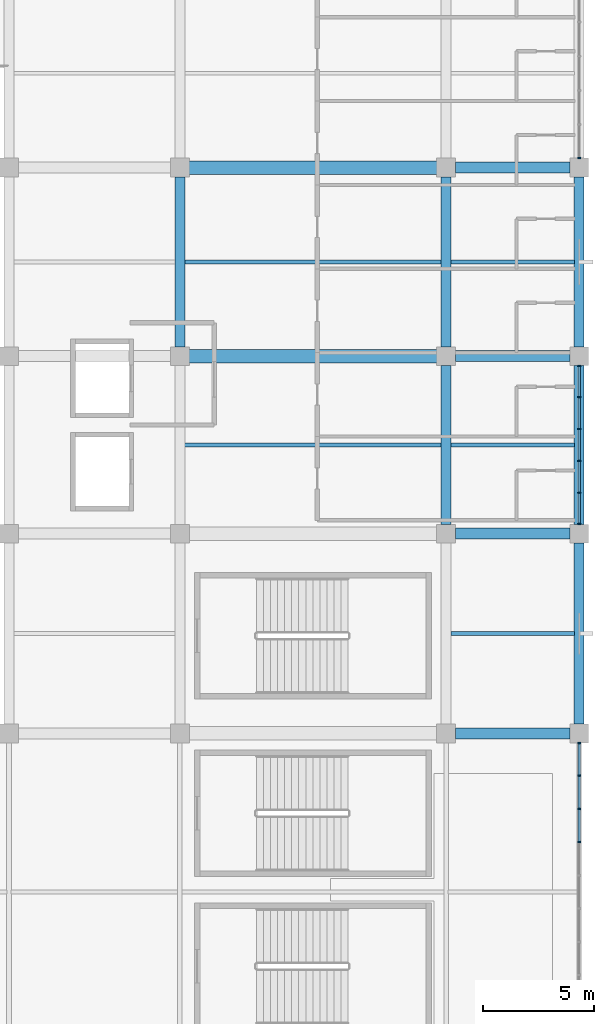
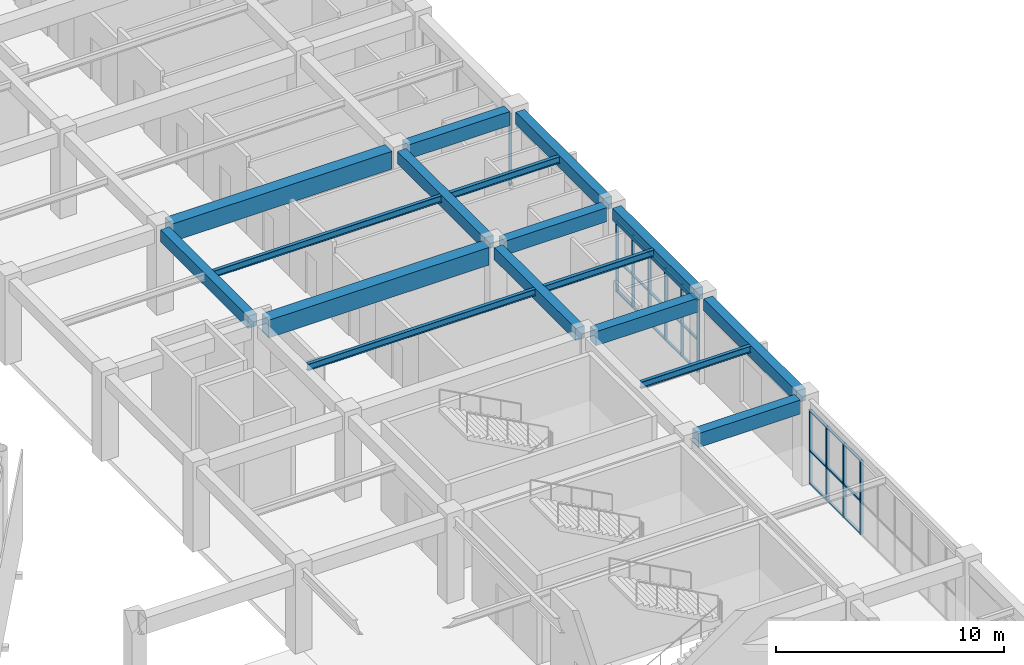
# One storey, part 55 of 112: 35 members, 17 beams, 3 elements without a shape of their own.
"""IFC4 building model written with IfcOpenShell, lengths in metres."""

import ifcopenshell
import ifcopenshell.guid

model = None  # the IFC model being written
_history = None  # IfcOwnerHistory: only IFC2X3 demands one
_inside = {}  # id of a spatial element -> (the spatial element, [elements in it])
_under = {}  # id of a project, library or spatial element -> (it, [spatial elements below it])
_declared = {}  # id of a project -> (the project, [libraries it declares])
_typed = {}  # id of a type object -> (the type object, [elements of that type])
_made_of = {}  # id of a material, layer set ... -> (it, [elements and type objects made of it])


def new_model(schema):
    """Start an empty IFC model of exactly this schema.

    Asked for "IFC4X3", IfcOpenShell would pick the latest addendum, in which some entities
    have other attributes; the version numbers below select the first issue.
    IFC2X3 requires an IfcOwnerHistory on every rooted entity: one is made here for all.
    """
    global model, _history
    if schema == "IFC4X3":
        model = ifcopenshell.file(schema_version=(4, 3, 0, 0))
    else:
        model = ifcopenshell.file(schema=schema)
    _inside.clear()
    _under.clear()
    _declared.clear()
    _typed.clear()
    _made_of.clear()
    _history = None
    if model.schema == "IFC2X3":
        org = make("IfcOrganization", Name="unknown")
        user = make(
            "IfcPersonAndOrganization",
            ThePerson=make("IfcPerson", FamilyName="unknown"),
            TheOrganization=org,
        )
        app = make(
            "IfcApplication",
            ApplicationDeveloper=org,
            Version="unknown",
            ApplicationFullName="unknown",
            ApplicationIdentifier="unknown",
        )
        _history = make(
            "IfcOwnerHistory",
            OwningUser=user,
            OwningApplication=app,
            ChangeAction="ADDED",
            CreationDate=0,
        )
    return model


def make(cls, **values):
    """One entity of the class cls with the attributes given. An attribute that is None is left unset."""
    return model.create_entity(
        cls, **{name: value for name, value in values.items() if value is not None}
    )


def rooted(cls, **values):
    """An entity with a GlobalId (a new one), such as an element, a storey or a relation."""
    return make(cls, GlobalId=ifcopenshell.guid.new(), OwnerHistory=_history, **values)


def si_unit(unit_type, name, prefix=None):
    """IfcSIUnit, for example si_unit("LENGTHUNIT", "METRE", prefix="MILLI")."""
    return make("IfcSIUnit", UnitType=unit_type, Prefix=prefix, Name=name)


def assignment(units):
    """IfcUnitAssignment: the units of a project."""
    return None if units is None else make("IfcUnitAssignment", Units=units)


def point(xyz):
    """IfcCartesianPoint."""
    return None if xyz is None else make("IfcCartesianPoint", Coordinates=xyz)


def direction(xyz):
    """IfcDirection."""
    return None if xyz is None else make("IfcDirection", DirectionRatios=xyz)


def frame(location, z_axis=None, x_axis=None):
    """IfcAxis2Placement3D, a coordinate frame: its origin and axes. An axis left out is left unset."""
    return make(
        "IfcAxis2Placement3D",
        Location=point(location),
        Axis=direction(z_axis),
        RefDirection=direction(x_axis),
    )


def frame_2d(location, x_axis=None):
    """IfcAxis2Placement2D, a coordinate frame in the plane: its origin and x axis."""
    return make(
        "IfcAxis2Placement2D", Location=point(location), RefDirection=direction(x_axis)
    )


def origin():
    """The frame at (0, 0, 0) with its axes left unset."""
    return frame((0.0, 0.0, 0.0))


def origin_2d():
    """The frame at (0, 0) in the plane with its x axis left unset."""
    return frame_2d((0.0, 0.0))


def place(relative_to, where):
    """IfcLocalPlacement: puts the frame where relative to a parent placement (None: the world)."""
    return make(
        "IfcLocalPlacement", PlacementRelTo=relative_to, RelativePlacement=where
    )


def context(
    kind, dimensions, precision=None, world=None, true_north=None, identifier=None
):
    """IfcGeometricRepresentationContext, for example the 3D "Model" context."""
    return make(
        "IfcGeometricRepresentationContext",
        ContextIdentifier=identifier,
        ContextType=kind,
        CoordinateSpaceDimension=dimensions,
        Precision=precision,
        WorldCoordinateSystem=world,
        TrueNorth=true_north,
    )


def subcontext(parent, identifier, kind, view, scale=None):
    """IfcGeometricRepresentationSubContext, for example "Body" below "Model"."""
    return make(
        "IfcGeometricRepresentationSubContext",
        ContextIdentifier=identifier,
        ContextType=kind,
        ParentContext=parent,
        TargetScale=scale,
        TargetView=view,
    )


def project(units=None, contexts=None):
    """IfcProject with its units and contexts."""
    return rooted(
        "IfcProject",
        Name="project",
        RepresentationContexts=contexts,
        UnitsInContext=assignment(units),
    )


def spatial(cls, under=None, at=None, **own):
    """A site, building, storey or space (cls), placed at a placement, below another one or the project."""
    s = rooted(cls, ObjectPlacement=at, **own)
    if under is not None:
        _under.setdefault(under.id(), (under, []))[1].append(s)
    return s


def profile(cls, at=None, kind="AREA", **sizes):
    """A parametric profile (cls). Its sizes go by their IFC names, for example OverallWidth=200.0."""
    return make(cls, ProfileType=kind, Position=at, **sizes)


def rectangle(**sizes):
    """IfcRectangleProfileDef."""
    return profile("IfcRectangleProfileDef", **sizes)


def i_section(**sizes):
    """IfcIShapeProfileDef."""
    return profile("IfcIShapeProfileDef", **sizes)


def extrude(swept, where, along, depth):
    """IfcExtrudedAreaSolid: the profile swept, set in the frame where, extruded along a direction by depth."""
    return make(
        "IfcExtrudedAreaSolid",
        SweptArea=swept,
        Position=where,
        ExtrudedDirection=direction(along),
        Depth=depth,
    )


def shape(context_of_items, identifier, shape_type, items):
    """IfcShapeRepresentation: the items that make up one representation, for example the "Body"."""
    return make(
        "IfcShapeRepresentation",
        ContextOfItems=context_of_items,
        RepresentationIdentifier=identifier,
        RepresentationType=shape_type,
        Items=items,
    )


def material(Name=None, Category=None):
    """IfcMaterial."""
    return make("IfcMaterial", Name=Name, Category=Category)


def material_profile(
    of_material, cross_section, Name=None, Category=None, Priority=None
):
    """IfcMaterialProfile: a cross section and its material."""
    return make(
        "IfcMaterialProfile",
        Name=Name,
        Material=of_material,
        Profile=cross_section,
        Priority=Priority,
        Category=Category,
    )


def profile_set(profiles, Name=None, composite=None):
    """IfcMaterialProfileSet."""
    return make(
        "IfcMaterialProfileSet",
        Name=Name,
        MaterialProfiles=profiles,
        CompositeProfile=composite,
    )


def made_of(thing, what):
    """Note that an element or type object is made of a material, layer set ...; save() writes the relation."""
    if what is not None:
        _made_of.setdefault(what.id(), (what, []))[1].append(thing)
    return thing


def type_object(cls, material=None, **own):
    """A type object (cls), such as IfcWallType, which elements share."""
    return made_of(rooted(cls, **own), material)


def element(
    cls,
    number,
    at=None,
    inside=None,
    cuts=None,
    type_object=None,
    material=None,
    context=None,
    identifier="Body",
    shape_type=None,
    held_by="IfcProductDefinitionShape",
    body=None,
    shapes=None,
    **own,
):
    """One element of the class cls, such as IfcWall. Its Tag is "e" and its number.

    at: its placement. inside: the storey or other place that contains it. cuts: it is an
    opening in that element (IfcRelVoidsElement). A single representation is given by context,
    identifier, shape_type and body (its items); several are given by shapes. held_by: the class
    of the entity that holds the representations. save() writes the other relations.
    """
    e = rooted(cls, Tag="e%d" % number, ObjectPlacement=at, **own)
    if body is not None:
        shapes = [shape(context, identifier, shape_type, body)]
    if shapes is not None:
        e.Representation = make(held_by, Representations=shapes)
    if inside is not None:
        _inside.setdefault(inside.id(), (inside, []))[1].append(e)
    if cuts is not None:
        rooted(
            "IfcRelVoidsElement", RelatingBuildingElement=cuts, RelatedOpeningElement=e
        )
    if type_object is not None:
        _typed.setdefault(type_object.id(), (type_object, []))[1].append(e)
    return made_of(e, material)


def aggregate(whole, parts):
    """IfcRelAggregates: a whole, such as a stair, and the parts it consists of."""
    return rooted("IfcRelAggregates", RelatingObject=whole, RelatedObjects=parts)


def save(model, path):
    """Write the relations noted so far, then the file.

    IfcRelAggregates (storeys below a building ...), IfcRelContainedInSpatialStructure (elements
    in a storey), IfcRelDefinesByType, IfcRelAssociatesMaterial and IfcRelDeclares: one each for
    every whole, place, type object, material and project.
    """
    for whole, parts in _under.values():
        aggregate(whole, parts)
    for where, things in _inside.values():
        rooted(
            "IfcRelContainedInSpatialStructure",
            RelatedElements=things,
            RelatingStructure=where,
        )
    for kind, things in _typed.values():
        rooted("IfcRelDefinesByType", RelatedObjects=things, RelatingType=kind)
    for what, things in _made_of.values():
        rooted("IfcRelAssociatesMaterial", RelatedObjects=things, RelatingMaterial=what)
    for by, libraries in _declared.values():
        rooted("IfcRelDeclares", RelatingContext=by, RelatedDefinitions=libraries)
    model.write(path)


model = new_model("IFC4")

# Units and contexts
model_context = context("Model", 3, precision=1e-05, world=origin(), true_north=direction((0.0, 1.0)))
body_context = subcontext(model_context, "Body", "Model", "MODEL_VIEW")
ifc_project = project(units=[si_unit("LENGTHUNIT", "METRE"), si_unit("AREAUNIT", "SQUARE_METRE"), si_unit("VOLUMEUNIT", "CUBIC_METRE"), si_unit("PLANEANGLEUNIT", "RADIAN"), si_unit("MASSUNIT", "GRAM", prefix="KILO")], contexts=[model_context])

# Site, building, storey
site_placement = place(None, origin())
site = spatial("IfcSite", under=ifc_project, at=site_placement, CompositionType="ELEMENT")
building_placement = place(site_placement, origin())
building = spatial("IfcBuilding", under=site, at=building_placement, Name="Cuetzalor Civic Arena", CompositionType="ELEMENT")
storey_placement = place(building_placement, frame((0.0, 0.0, 11.39990234375)))
storey = spatial("IfcBuildingStorey", under=building, at=storey_placement, Name="L02", CompositionType="ELEMENT", Elevation=11.39990234375)

# Beams
ifc_material_1 = material(Name="Concrete C40/50", Category="concrete")
ifc_material_profile_1 = material_profile(ifc_material_1, rectangle(XDim=0.5, YDim=0.75, at=origin_2d()), Name="RC 500x750")
ifc_profile_set_1 = profile_set([ifc_material_profile_1], Name="Concrete C40/50")
beam_type_1 = type_object("IfcBeamType", Name="ConcreteFrameBeam_500x750", PredefinedType="BEAM", material=ifc_profile_set_1)
for number, where, z_axis, x_axis, name in (
    (1, (76.4150390625, -34.0, 4.14501953125), (1.0, 0.0, 0.0), (0.0, 1.0, 0.0), "Frame Girder V4E-L02-X0711"),
    (2, (76.4150390625, -25.0, 4.14501953125), (1.0, 0.0, 0.0), (0.0, 1.0, 0.0), "Frame Girder V4E-L02-X0714"),
    (3, (76.4150390625, -17.0, 4.14501953125), (1.0, 0.0, 0.0), (0.0, 1.0, 0.0), "Frame Girder V4E-L02-X0717"),
    (4, (76.4150390625, -8.5, 4.14501953125), (1.0, 0.0, 0.0), (0.0, 1.0, 0.0), "Frame Girder V4E-L02-X0720"),
):
    element("IfcBeam", number, at=place(storey_placement, frame(where, z_axis=z_axis, x_axis=x_axis)), inside=storey, type_object=beam_type_1, Name=name, PredefinedType="BEAM", context=body_context, shape_type="SweptSolid", body=[
        extrude(rectangle(XDim=0.5, YDim=0.75, at=origin_2d()), origin(), (0.0, 0.0, 1.0), 5.169921875),
    ])
ifc_material_2 = material(Name="Concrete C40/50", Category="concrete")
ifc_material_profile_2 = material_profile(ifc_material_2, rectangle(XDim=0.60009765625, YDim=0.949951171875, at=origin_2d()), Name="RC 600x950")
ifc_profile_set_2 = profile_set([ifc_material_profile_2], Name="Concrete C40/50")
beam_type_2 = type_object("IfcBeamType", Name="ConcreteFrameBeam_600x950", PredefinedType="BEAM", material=ifc_profile_set_2)
for number, where, z_axis, x_axis, name in (
    (5, (64.4150390625, -17.0, 4.045166015625), (1.0, 0.0, 0.0), (0.0, 1.0, 0.0), "Frame Girder V4E-L02-X0716"),
    (6, (64.4150390625, -8.5, 4.045166015625), (1.0, 0.0, 0.0), (0.0, 1.0, 0.0), "Frame Girder V4E-L02-X0719"),
):
    element("IfcBeam", number, at=place(storey_placement, frame(where, z_axis=z_axis, x_axis=x_axis)), inside=storey, type_object=beam_type_2, Name=name, PredefinedType="BEAM", context=body_context, shape_type="SweptSolid", body=[
        extrude(rectangle(XDim=0.60009765625, YDim=0.949951171875, at=origin_2d()), origin(), (0.0, 0.0, 1.0), 11.169921875),
    ])
ifc_material_3 = material(Name="Concrete C40/50", Category="concrete")
ifc_material_profile_3 = material_profile(ifc_material_3, rectangle(XDim=0.449951171875, YDim=0.64990234375, at=origin_2d()), Name="RC 450x650")
ifc_profile_set_3 = profile_set([ifc_material_profile_3], Name="Concrete C40/50")
beam_type_3 = type_object("IfcBeamType", Name="ConcreteTieBeam_450x650", PredefinedType="BEAM", material=ifc_profile_set_3)
beam_1_placement = place(storey_placement, frame((64.0, -16.5849609375, 4.195068359375), z_axis=(0.0, 1.0, 0.0), x_axis=(-1.0, 0.0, 0.0)))
element("IfcBeam", 7, at=beam_1_placement, inside=storey, type_object=beam_type_3, Name="Frame Girder V4E-L02-Y0752", PredefinedType="BEAM", context=body_context, shape_type="SweptSolid", body=[
    extrude(rectangle(XDim=0.449951171875, YDim=0.64990234375, at=origin_2d()), origin(), (0.0, 0.0, 1.0), 7.669921875),
])
beam_2_placement = place(storey_placement, frame((76.0, -24.5849609375, 4.195068359375), z_axis=(0.0, 1.0, 0.0), x_axis=(-1.0, 0.0, 0.0)))
element("IfcBeam", 8, at=beam_2_placement, inside=storey, type_object=beam_type_3, Name="Frame Girder V4E-L02-Y0761", PredefinedType="BEAM", context=body_context, shape_type="SweptSolid", body=[
    extrude(rectangle(XDim=0.449951171875, YDim=0.64990234375, at=origin_2d()), origin(), (0.0, 0.0, 1.0), 7.169921875),
])
beam_3_placement = place(storey_placement, frame((76.0, -16.5849609375, 4.195068359375), z_axis=(0.0, 1.0, 0.0), x_axis=(-1.0, 0.0, 0.0)))
element("IfcBeam", 9, at=beam_3_placement, inside=storey, type_object=beam_type_3, Name="Frame Girder V4E-L02-Y0762", PredefinedType="BEAM", context=body_context, shape_type="SweptSolid", body=[
    extrude(rectangle(XDim=0.449951171875, YDim=0.64990234375, at=origin_2d()), origin(), (0.0, 0.0, 1.0), 7.669921875),
])
beam_4_placement = place(storey_placement, frame((82.0, -33.5849609375, 4.195068359375), z_axis=(0.0, 1.0, 0.0), x_axis=(-1.0, 0.0, 0.0)))
element("IfcBeam", 10, at=beam_4_placement, inside=storey, type_object=beam_type_3, Name="Frame Girder V4E-L02-Y0770", PredefinedType="BEAM", context=body_context, shape_type="SweptSolid", body=[
    extrude(rectangle(XDim=0.449951171875, YDim=0.64990234375, at=origin_2d()), origin(), (0.0, 0.0, 1.0), 8.169921875),
])
beam_5_placement = place(storey_placement, frame((82.0, -24.5849609375, 4.195068359375), z_axis=(0.0, 1.0, 0.0), x_axis=(-1.0, 0.0, 0.0)))
element("IfcBeam", 11, at=beam_5_placement, inside=storey, type_object=beam_type_3, Name="Frame Girder V4E-L02-Y0771", PredefinedType="BEAM", context=body_context, shape_type="SweptSolid", body=[
    extrude(rectangle(XDim=0.449951171875, YDim=0.64990234375, at=origin_2d()), origin(), (0.0, 0.0, 1.0), 7.169921875),
])
beam_6_placement = place(storey_placement, frame((82.0, -16.5849609375, 4.195068359375), z_axis=(0.0, 1.0, 0.0), x_axis=(-1.0, 0.0, 0.0)))
element("IfcBeam", 12, at=beam_6_placement, inside=storey, type_object=beam_type_3, Name="Frame Girder V4E-L02-Y0772", PredefinedType="BEAM", context=body_context, shape_type="SweptSolid", body=[
    extrude(rectangle(XDim=0.449951171875, YDim=0.64990234375, at=origin_2d()), origin(), (0.0, 0.0, 1.0), 7.669921875),
])

# Curtain wall, members
ifc_material_4 = material(Name="Anodised dark bronze aluminium and low-E solar glass", Category="aluminium")
curtain_wall_type_1 = type_object("IfcCurtainWallType", Name="UnitisedCW_13500x4000", PredefinedType="USERDEFINED", material=ifc_material_4)
curtain_wall_1_placement = place(storey_placement, origin())
curtain_wall_1 = element("IfcCurtainWall", 13, at=curtain_wall_1_placement, inside=storey, type_object=curtain_wall_type_1, Name="V4E Suite Viewing Curtain Wall L02-140", ObjectType="UNITISED CURTAIN WALL", PredefinedType="USERDEFINED")
ifc_material_5 = material(Name="Anodised dark bronze aluminium", Category="aluminium")
ifc_material_profile_4 = material_profile(ifc_material_5, rectangle(XDim=0.06494140625, YDim=0.14990234375, at=origin_2d()), Name="ALU MULLION 65x150")
ifc_profile_set_4 = profile_set([ifc_material_profile_4], Name="Anodised dark bronze aluminium")
member_type_1 = type_object("IfcMemberType", Name="CurtainWallMullion_60x150", PredefinedType="MULLION", material=ifc_profile_set_4)
member_1_placement = place(storey_placement, frame((82.0, -34.439453125, 0.0), z_axis=(0.0, 0.0, 1.0), x_axis=(0.0, -1.0, 0.0)))
member_1 = element("IfcMember", 14, at=member_1_placement, type_object=member_type_1, Name="CW-40 mullion 1", PredefinedType="MULLION", context=body_context, shape_type="SweptSolid", body=[
    extrude(rectangle(XDim=0.06494140625, YDim=0.14990234375, at=origin_2d()), origin(), (0.0, 0.0, 1.0), 3.97705078125),
])
member_2_placement = place(storey_placement, frame((82.0, -35.905517578125, 0.0), z_axis=(0.0, 0.0, 1.0), x_axis=(0.0, -1.0, 0.0)))
member_2 = element("IfcMember", 15, at=member_2_placement, type_object=member_type_1, Name="CW-40 mullion 2", PredefinedType="MULLION", context=body_context, shape_type="SweptSolid", body=[
    extrude(rectangle(XDim=0.06494140625, YDim=0.14990234375, at=origin_2d()), origin(), (0.0, 0.0, 1.0), 3.97705078125),
])
member_3_placement = place(storey_placement, frame((82.0, -37.40380859375, 0.0), z_axis=(0.0, 0.0, 1.0), x_axis=(0.0, -1.0, 0.0)))
member_3 = element("IfcMember", 16, at=member_3_placement, type_object=member_type_1, Name="CW-40 mullion 3", PredefinedType="MULLION", context=body_context, shape_type="SweptSolid", body=[
    extrude(rectangle(XDim=0.06494140625, YDim=0.14990234375, at=origin_2d()), origin(), (0.0, 0.0, 1.0), 3.97705078125),
])
member_4_placement = place(storey_placement, frame((82.0, -38.90234375, 0.0), z_axis=(0.0, 0.0, 1.0), x_axis=(0.0, -1.0, 0.0)))
member_4 = element("IfcMember", 17, at=member_4_placement, type_object=member_type_1, Name="CW-40 mullion 4", PredefinedType="MULLION", context=body_context, shape_type="SweptSolid", body=[
    extrude(rectangle(XDim=0.06494140625, YDim=0.14990234375, at=origin_2d()), origin(), (0.0, 0.0, 1.0), 3.97705078125),
])

ifc_material_6 = material(Name="Anodised dark bronze aluminium and low-E solar glass", Category="aluminium")
curtain_wall_type_2 = type_object("IfcCurtainWallType", Name="UnitisedCW_7200x3850", PredefinedType="USERDEFINED", material=ifc_material_6)
curtain_wall_2_placement = place(storey_placement, origin())
curtain_wall_2 = element("IfcCurtainWall", 18, at=curtain_wall_2_placement, inside=storey, type_object=curtain_wall_type_2, Name="V4E Suite Viewing Curtain Wall L02-141", ObjectType="UNITISED CURTAIN WALL", PredefinedType="USERDEFINED")
member_5_placement = place(storey_placement, frame((82.0, -17.439453125, 0.0), z_axis=(0.0, 0.0, 1.0), x_axis=(0.0, -1.0, 0.0)))
member_5 = element("IfcMember", 19, at=member_5_placement, type_object=member_type_1, Name="CW-41 mullion 1", PredefinedType="MULLION", context=body_context, shape_type="SweptSolid", body=[
    extrude(rectangle(XDim=0.06494140625, YDim=0.14990234375, at=origin_2d()), origin(), (0.0, 0.0, 1.0), 3.860107421875),
])
member_6_placement = place(storey_placement, frame((82.0, -18.84423828125, 0.0), z_axis=(0.0, 0.0, 1.0), x_axis=(0.0, -1.0, 0.0)))
member_6 = element("IfcMember", 20, at=member_6_placement, type_object=member_type_1, Name="CW-41 mullion 2", PredefinedType="MULLION", context=body_context, shape_type="SweptSolid", body=[
    extrude(rectangle(XDim=0.06494140625, YDim=0.14990234375, at=origin_2d()), origin(), (0.0, 0.0, 1.0), 3.860107421875),
])
member_7_placement = place(storey_placement, frame((82.0, -20.281494140625, 0.0), z_axis=(0.0, 0.0, 1.0), x_axis=(0.0, -1.0, 0.0)))
member_7 = element("IfcMember", 21, at=member_7_placement, type_object=member_type_1, Name="CW-41 mullion 3", PredefinedType="MULLION", context=body_context, shape_type="SweptSolid", body=[
    extrude(rectangle(XDim=0.06494140625, YDim=0.14990234375, at=origin_2d()), origin(), (0.0, 0.0, 1.0), 3.860107421875),
])
member_8_placement = place(storey_placement, frame((82.0, -21.718505859375, 0.0), z_axis=(0.0, 0.0, 1.0), x_axis=(0.0, -1.0, 0.0)))
member_8 = element("IfcMember", 22, at=member_8_placement, type_object=member_type_1, Name="CW-41 mullion 4", PredefinedType="MULLION", context=body_context, shape_type="SweptSolid", body=[
    extrude(rectangle(XDim=0.06494140625, YDim=0.14990234375, at=origin_2d()), origin(), (0.0, 0.0, 1.0), 3.860107421875),
])
member_9_placement = place(storey_placement, frame((82.0, -23.15576171875, 0.0), z_axis=(0.0, 0.0, 1.0), x_axis=(0.0, -1.0, 0.0)))
member_9 = element("IfcMember", 23, at=member_9_placement, type_object=member_type_1, Name="CW-41 mullion 5", PredefinedType="MULLION", context=body_context, shape_type="SweptSolid", body=[
    extrude(rectangle(XDim=0.06494140625, YDim=0.14990234375, at=origin_2d()), origin(), (0.0, 0.0, 1.0), 3.860107421875),
])
member_10_placement = place(storey_placement, frame((82.0, -24.560546875, 0.0), z_axis=(0.0, 0.0, 1.0), x_axis=(0.0, -1.0, 0.0)))
member_10 = element("IfcMember", 24, at=member_10_placement, type_object=member_type_1, Name="CW-41 mullion 6", PredefinedType="MULLION", context=body_context, shape_type="SweptSolid", body=[
    extrude(rectangle(XDim=0.06494140625, YDim=0.14990234375, at=origin_2d()), origin(), (0.0, 0.0, 1.0), 3.860107421875),
])

# Curtain wall, member
ifc_material_7 = material(Name="Anodised dark bronze aluminium and low-E solar glass", Category="aluminium")
curtain_wall_type_3 = type_object("IfcCurtainWallType", Name="UnitisedCW_7700x3850", PredefinedType="USERDEFINED", material=ifc_material_7)
curtain_wall_3_placement = place(storey_placement, origin())
curtain_wall_3 = element("IfcCurtainWall", 25, at=curtain_wall_3_placement, inside=storey, type_object=curtain_wall_type_3, Name="V4E Suite Viewing Curtain Wall L02-142", ObjectType="UNITISED CURTAIN WALL", PredefinedType="USERDEFINED")
member_11_placement = place(storey_placement, frame((82.0, -8.060546875, 0.0), z_axis=(0.0, 0.0, 1.0), x_axis=(0.0, -1.0, 0.0)))
member_11 = element("IfcMember", 26, at=member_11_placement, type_object=member_type_1, Name="CW-42 mullion 6", PredefinedType="MULLION", context=body_context, shape_type="SweptSolid", body=[
    extrude(rectangle(XDim=0.06494140625, YDim=0.14990234375, at=origin_2d()), origin(), (0.0, 0.0, 1.0), 3.860107421875),
])
aggregate(curtain_wall_3, [member_11])

# Member
ifc_material_8 = material(Name="Anodised dark bronze aluminium", Category="aluminium")
ifc_material_profile_5 = material_profile(ifc_material_8, rectangle(XDim=0.1201171875, YDim=0.06494140625, at=origin_2d()), Name="ALU TRANSOM 65x120")
ifc_profile_set_5 = profile_set([ifc_material_profile_5], Name="Anodised dark bronze aluminium")
member_type_2 = type_object("IfcMemberType", Name="CurtainWallTransom_60x120", PredefinedType="USERDEFINED", material=ifc_profile_set_5)
member_12_placement = place(storey_placement, frame((82.0, -34.471923828125, 0.03271484375), z_axis=(0.0, -1.0, 0.0), x_axis=(1.0, 0.0, 0.0)))
member_12 = element("IfcMember", 27, at=member_12_placement, type_object=member_type_2, Name="CW-40 transom 1.1", ObjectType="TRANSOM", PredefinedType="USERDEFINED", context=body_context, shape_type="SweptSolid", body=[
    extrude(rectangle(XDim=0.1201171875, YDim=0.06494140625, at=origin_2d()), origin(), (0.0, 0.0, 1.0), 1.401123046875),
])

member_13_placement = place(storey_placement, frame((82.0, -34.471923828125, 1.7900390625), z_axis=(0.0, -1.0, 0.0), x_axis=(1.0, 0.0, 0.0)))
member_13 = element("IfcMember", 28, at=member_13_placement, type_object=member_type_2, Name="CW-40 transom 1.2", ObjectType="TRANSOM", PredefinedType="USERDEFINED", context=body_context, shape_type="SweptSolid", body=[
    extrude(rectangle(XDim=0.1201171875, YDim=0.06494140625, at=origin_2d()), origin(), (0.0, 0.0, 1.0), 1.401123046875),
])

member_14_placement = place(storey_placement, frame((82.0, -34.471923828125, 3.944580078125), z_axis=(0.0, -1.0, 0.0), x_axis=(1.0, 0.0, 0.0)))
member_14 = element("IfcMember", 29, at=member_14_placement, type_object=member_type_2, Name="CW-40 transom 1.3", ObjectType="TRANSOM", PredefinedType="USERDEFINED", context=body_context, shape_type="SweptSolid", body=[
    extrude(rectangle(XDim=0.1201171875, YDim=0.06494140625, at=origin_2d()), origin(), (0.0, 0.0, 1.0), 1.401123046875),
])

member_15_placement = place(storey_placement, frame((82.0, -35.93798828125, 0.03271484375), z_axis=(0.0, -1.0, 0.0), x_axis=(1.0, 0.0, 0.0)))
member_15 = element("IfcMember", 30, at=member_15_placement, type_object=member_type_2, Name="CW-40 transom 2.1", ObjectType="TRANSOM", PredefinedType="USERDEFINED", context=body_context, shape_type="SweptSolid", body=[
    extrude(rectangle(XDim=0.1201171875, YDim=0.06494140625, at=origin_2d()), origin(), (0.0, 0.0, 1.0), 1.433349609375),
])

member_16_placement = place(storey_placement, frame((82.0, -35.93798828125, 1.7900390625), z_axis=(0.0, -1.0, 0.0), x_axis=(1.0, 0.0, 0.0)))
member_16 = element("IfcMember", 31, at=member_16_placement, type_object=member_type_2, Name="CW-40 transom 2.2", ObjectType="TRANSOM", PredefinedType="USERDEFINED", context=body_context, shape_type="SweptSolid", body=[
    extrude(rectangle(XDim=0.1201171875, YDim=0.06494140625, at=origin_2d()), origin(), (0.0, 0.0, 1.0), 1.433349609375),
])

member_17_placement = place(storey_placement, frame((82.0, -35.93798828125, 3.944580078125), z_axis=(0.0, -1.0, 0.0), x_axis=(1.0, 0.0, 0.0)))
member_17 = element("IfcMember", 32, at=member_17_placement, type_object=member_type_2, Name="CW-40 transom 2.3", ObjectType="TRANSOM", PredefinedType="USERDEFINED", context=body_context, shape_type="SweptSolid", body=[
    extrude(rectangle(XDim=0.1201171875, YDim=0.06494140625, at=origin_2d()), origin(), (0.0, 0.0, 1.0), 1.433349609375),
])

member_18_placement = place(storey_placement, frame((82.0, -37.436279296875, 0.03271484375), z_axis=(0.0, -1.0, 0.0), x_axis=(1.0, 0.0, 0.0)))
member_18 = element("IfcMember", 33, at=member_18_placement, type_object=member_type_2, Name="CW-40 transom 3.1", ObjectType="TRANSOM", PredefinedType="USERDEFINED", context=body_context, shape_type="SweptSolid", body=[
    extrude(rectangle(XDim=0.1201171875, YDim=0.06494140625, at=origin_2d()), origin(), (0.0, 0.0, 1.0), 1.43359375),
])

member_19_placement = place(storey_placement, frame((82.0, -37.436279296875, 1.7900390625), z_axis=(0.0, -1.0, 0.0), x_axis=(1.0, 0.0, 0.0)))
member_19 = element("IfcMember", 34, at=member_19_placement, type_object=member_type_2, Name="CW-40 transom 3.2", ObjectType="TRANSOM", PredefinedType="USERDEFINED", context=body_context, shape_type="SweptSolid", body=[
    extrude(rectangle(XDim=0.1201171875, YDim=0.06494140625, at=origin_2d()), origin(), (0.0, 0.0, 1.0), 1.43359375),
])

member_20_placement = place(storey_placement, frame((82.0, -37.436279296875, 3.944580078125), z_axis=(0.0, -1.0, 0.0), x_axis=(1.0, 0.0, 0.0)))
member_20 = element("IfcMember", 35, at=member_20_placement, type_object=member_type_2, Name="CW-40 transom 3.3", ObjectType="TRANSOM", PredefinedType="USERDEFINED", context=body_context, shape_type="SweptSolid", body=[
    extrude(rectangle(XDim=0.1201171875, YDim=0.06494140625, at=origin_2d()), origin(), (0.0, 0.0, 1.0), 1.43359375),
])

aggregate(curtain_wall_1, [member_1, member_2, member_3, member_4, member_12, member_13, member_14, member_15, member_16, member_17, member_18, member_19, member_20])

member_21_placement = place(storey_placement, frame((82.0, -17.471923828125, 0.03271484375), z_axis=(0.0, -1.0, 0.0), x_axis=(1.0, 0.0, 0.0)))
member_21 = element("IfcMember", 36, at=member_21_placement, type_object=member_type_2, Name="CW-41 transom 1.1", ObjectType="TRANSOM", PredefinedType="USERDEFINED", context=body_context, shape_type="SweptSolid", body=[
    extrude(rectangle(XDim=0.1201171875, YDim=0.06494140625, at=origin_2d()), origin(), (0.0, 0.0, 1.0), 1.33984375),
])

member_22_placement = place(storey_placement, frame((82.0, -17.471923828125, 1.737060546875), z_axis=(0.0, -1.0, 0.0), x_axis=(1.0, 0.0, 0.0)))
member_22 = element("IfcMember", 37, at=member_22_placement, type_object=member_type_2, Name="CW-41 transom 1.2", ObjectType="TRANSOM", PredefinedType="USERDEFINED", context=body_context, shape_type="SweptSolid", body=[
    extrude(rectangle(XDim=0.1201171875, YDim=0.06494140625, at=origin_2d()), origin(), (0.0, 0.0, 1.0), 1.33984375),
])

member_23_placement = place(storey_placement, frame((82.0, -17.471923828125, 3.82763671875), z_axis=(0.0, -1.0, 0.0), x_axis=(1.0, 0.0, 0.0)))
member_23 = element("IfcMember", 38, at=member_23_placement, type_object=member_type_2, Name="CW-41 transom 1.3", ObjectType="TRANSOM", PredefinedType="USERDEFINED", context=body_context, shape_type="SweptSolid", body=[
    extrude(rectangle(XDim=0.1201171875, YDim=0.06494140625, at=origin_2d()), origin(), (0.0, 0.0, 1.0), 1.33984375),
])

member_24_placement = place(storey_placement, frame((82.0, -18.876708984375, 0.03271484375), z_axis=(0.0, -1.0, 0.0), x_axis=(1.0, 0.0, 0.0)))
member_24 = element("IfcMember", 39, at=member_24_placement, type_object=member_type_2, Name="CW-41 transom 2.1", ObjectType="TRANSOM", PredefinedType="USERDEFINED", context=body_context, shape_type="SweptSolid", body=[
    extrude(rectangle(XDim=0.1201171875, YDim=0.06494140625, at=origin_2d()), origin(), (0.0, 0.0, 1.0), 1.3720703125),
])

member_25_placement = place(storey_placement, frame((82.0, -18.876708984375, 1.737060546875), z_axis=(0.0, -1.0, 0.0), x_axis=(1.0, 0.0, 0.0)))
member_25 = element("IfcMember", 40, at=member_25_placement, type_object=member_type_2, Name="CW-41 transom 2.2", ObjectType="TRANSOM", PredefinedType="USERDEFINED", context=body_context, shape_type="SweptSolid", body=[
    extrude(rectangle(XDim=0.1201171875, YDim=0.06494140625, at=origin_2d()), origin(), (0.0, 0.0, 1.0), 1.3720703125),
])

member_26_placement = place(storey_placement, frame((82.0, -18.876708984375, 3.82763671875), z_axis=(0.0, -1.0, 0.0), x_axis=(1.0, 0.0, 0.0)))
member_26 = element("IfcMember", 41, at=member_26_placement, type_object=member_type_2, Name="CW-41 transom 2.3", ObjectType="TRANSOM", PredefinedType="USERDEFINED", context=body_context, shape_type="SweptSolid", body=[
    extrude(rectangle(XDim=0.1201171875, YDim=0.06494140625, at=origin_2d()), origin(), (0.0, 0.0, 1.0), 1.3720703125),
])

member_27_placement = place(storey_placement, frame((82.0, -20.31396484375, 0.03271484375), z_axis=(0.0, -1.0, 0.0), x_axis=(1.0, 0.0, 0.0)))
member_27 = element("IfcMember", 42, at=member_27_placement, type_object=member_type_2, Name="CW-41 transom 3.1", ObjectType="TRANSOM", PredefinedType="USERDEFINED", context=body_context, shape_type="SweptSolid", body=[
    extrude(rectangle(XDim=0.1201171875, YDim=0.06494140625, at=origin_2d()), origin(), (0.0, 0.0, 1.0), 1.3720703125),
])

member_28_placement = place(storey_placement, frame((82.0, -20.31396484375, 1.737060546875), z_axis=(0.0, -1.0, 0.0), x_axis=(1.0, 0.0, 0.0)))
member_28 = element("IfcMember", 43, at=member_28_placement, type_object=member_type_2, Name="CW-41 transom 3.2", ObjectType="TRANSOM", PredefinedType="USERDEFINED", context=body_context, shape_type="SweptSolid", body=[
    extrude(rectangle(XDim=0.1201171875, YDim=0.06494140625, at=origin_2d()), origin(), (0.0, 0.0, 1.0), 1.3720703125),
])

member_29_placement = place(storey_placement, frame((82.0, -20.31396484375, 3.82763671875), z_axis=(0.0, -1.0, 0.0), x_axis=(1.0, 0.0, 0.0)))
member_29 = element("IfcMember", 44, at=member_29_placement, type_object=member_type_2, Name="CW-41 transom 3.3", ObjectType="TRANSOM", PredefinedType="USERDEFINED", context=body_context, shape_type="SweptSolid", body=[
    extrude(rectangle(XDim=0.1201171875, YDim=0.06494140625, at=origin_2d()), origin(), (0.0, 0.0, 1.0), 1.3720703125),
])

member_30_placement = place(storey_placement, frame((82.0, -21.751220703125, 0.03271484375), z_axis=(0.0, -1.0, 0.0), x_axis=(1.0, 0.0, 0.0)))
member_30 = element("IfcMember", 45, at=member_30_placement, type_object=member_type_2, Name="CW-41 transom 4.1", ObjectType="TRANSOM", PredefinedType="USERDEFINED", context=body_context, shape_type="SweptSolid", body=[
    extrude(rectangle(XDim=0.1201171875, YDim=0.06494140625, at=origin_2d()), origin(), (0.0, 0.0, 1.0), 1.3720703125),
])

member_31_placement = place(storey_placement, frame((82.0, -21.751220703125, 1.737060546875), z_axis=(0.0, -1.0, 0.0), x_axis=(1.0, 0.0, 0.0)))
member_31 = element("IfcMember", 46, at=member_31_placement, type_object=member_type_2, Name="CW-41 transom 4.2", ObjectType="TRANSOM", PredefinedType="USERDEFINED", context=body_context, shape_type="SweptSolid", body=[
    extrude(rectangle(XDim=0.1201171875, YDim=0.06494140625, at=origin_2d()), origin(), (0.0, 0.0, 1.0), 1.3720703125),
])

member_32_placement = place(storey_placement, frame((82.0, -21.751220703125, 3.82763671875), z_axis=(0.0, -1.0, 0.0), x_axis=(1.0, 0.0, 0.0)))
member_32 = element("IfcMember", 47, at=member_32_placement, type_object=member_type_2, Name="CW-41 transom 4.3", ObjectType="TRANSOM", PredefinedType="USERDEFINED", context=body_context, shape_type="SweptSolid", body=[
    extrude(rectangle(XDim=0.1201171875, YDim=0.06494140625, at=origin_2d()), origin(), (0.0, 0.0, 1.0), 1.3720703125),
])

member_33_placement = place(storey_placement, frame((82.0, -23.188232421875, 0.03271484375), z_axis=(0.0, -1.0, 0.0), x_axis=(1.0, 0.0, 0.0)))
member_33 = element("IfcMember", 48, at=member_33_placement, type_object=member_type_2, Name="CW-41 transom 5.1", ObjectType="TRANSOM", PredefinedType="USERDEFINED", context=body_context, shape_type="SweptSolid", body=[
    extrude(rectangle(XDim=0.1201171875, YDim=0.06494140625, at=origin_2d()), origin(), (0.0, 0.0, 1.0), 1.33984375),
])

member_34_placement = place(storey_placement, frame((82.0, -23.188232421875, 1.737060546875), z_axis=(0.0, -1.0, 0.0), x_axis=(1.0, 0.0, 0.0)))
member_34 = element("IfcMember", 49, at=member_34_placement, type_object=member_type_2, Name="CW-41 transom 5.2", ObjectType="TRANSOM", PredefinedType="USERDEFINED", context=body_context, shape_type="SweptSolid", body=[
    extrude(rectangle(XDim=0.1201171875, YDim=0.06494140625, at=origin_2d()), origin(), (0.0, 0.0, 1.0), 1.33984375),
])

member_35_placement = place(storey_placement, frame((82.0, -23.188232421875, 3.82763671875), z_axis=(0.0, -1.0, 0.0), x_axis=(1.0, 0.0, 0.0)))
member_35 = element("IfcMember", 50, at=member_35_placement, type_object=member_type_2, Name="CW-41 transom 5.3", ObjectType="TRANSOM", PredefinedType="USERDEFINED", context=body_context, shape_type="SweptSolid", body=[
    extrude(rectangle(XDim=0.1201171875, YDim=0.06494140625, at=origin_2d()), origin(), (0.0, 0.0, 1.0), 1.33984375),
])

aggregate(curtain_wall_2, [member_5, member_6, member_7, member_8, member_9, member_10, member_21, member_22, member_23, member_24, member_25, member_26, member_27, member_28, member_29, member_30, member_31, member_32, member_33, member_34, member_35])

# Beams
ifc_material_9 = material(Name="Steel S355", Category="steel")
ifc_material_profile_6 = material_profile(ifc_material_9, i_section(OverallWidth=0.1708984375, OverallDepth=0.35498046875, WebThickness=0.007080078125, FlangeThickness=0.01171875, at=origin_2d()), Name="W360x51")
ifc_profile_set_6 = profile_set([ifc_material_profile_6], Name="Steel S355")
beam_type_4 = type_object("IfcBeamType", Name="SecondaryFloorJoist_W360", PredefinedType="JOIST", material=ifc_profile_set_6)
for number, where, z_axis, x_axis, name in (
    (51, (64.217041015625, -21.0, 4.342529296875), (1.0, 0.0, 0.0), (0.0, 1.0, 0.0), "Secondary Floor Joist V4E-L02-0229"),
    (52, (64.217041015625, -12.75, 4.342529296875), (1.0, 0.0, 0.0), (0.0, 1.0, 0.0), "Secondary Floor Joist V4E-L02-0230"),
):
    element("IfcBeam", number, at=place(storey_placement, frame(where, z_axis=z_axis, x_axis=x_axis)), inside=storey, type_object=beam_type_4, Name=name, PredefinedType="JOIST", context=body_context, shape_type="SweptSolid", body=[
        extrude(i_section(OverallWidth=0.1708984375, OverallDepth=0.35498046875, WebThickness=0.007080078125, FlangeThickness=0.01171875, at=origin_2d()), origin(), (0.0, 0.0, 1.0), 11.56591796875),
    ])
for number, where, z_axis, x_axis, name in (
    (53, (76.217041015625, -29.5, 4.342529296875), (1.0, 0.0, 0.0), (0.0, 1.0, 0.0), "Secondary Floor Joist V4E-L02-0237"),
    (54, (76.217041015625, -21.0, 4.342529296875), (1.0, 0.0, 0.0), (0.0, 1.0, 0.0), "Secondary Floor Joist V4E-L02-0238"),
    (55, (76.217041015625, -12.75, 4.342529296875), (1.0, 0.0, 0.0), (0.0, 1.0, 0.0), "Secondary Floor Joist V4E-L02-0239"),
):
    element("IfcBeam", number, at=place(storey_placement, frame(where, z_axis=z_axis, x_axis=x_axis)), inside=storey, type_object=beam_type_4, Name=name, PredefinedType="JOIST", context=body_context, shape_type="SweptSolid", body=[
        extrude(i_section(OverallWidth=0.1708984375, OverallDepth=0.35498046875, WebThickness=0.007080078125, FlangeThickness=0.01171875, at=origin_2d()), origin(), (0.0, 0.0, 1.0), 5.56591796875),
    ])

save(model, "model.ifc")
